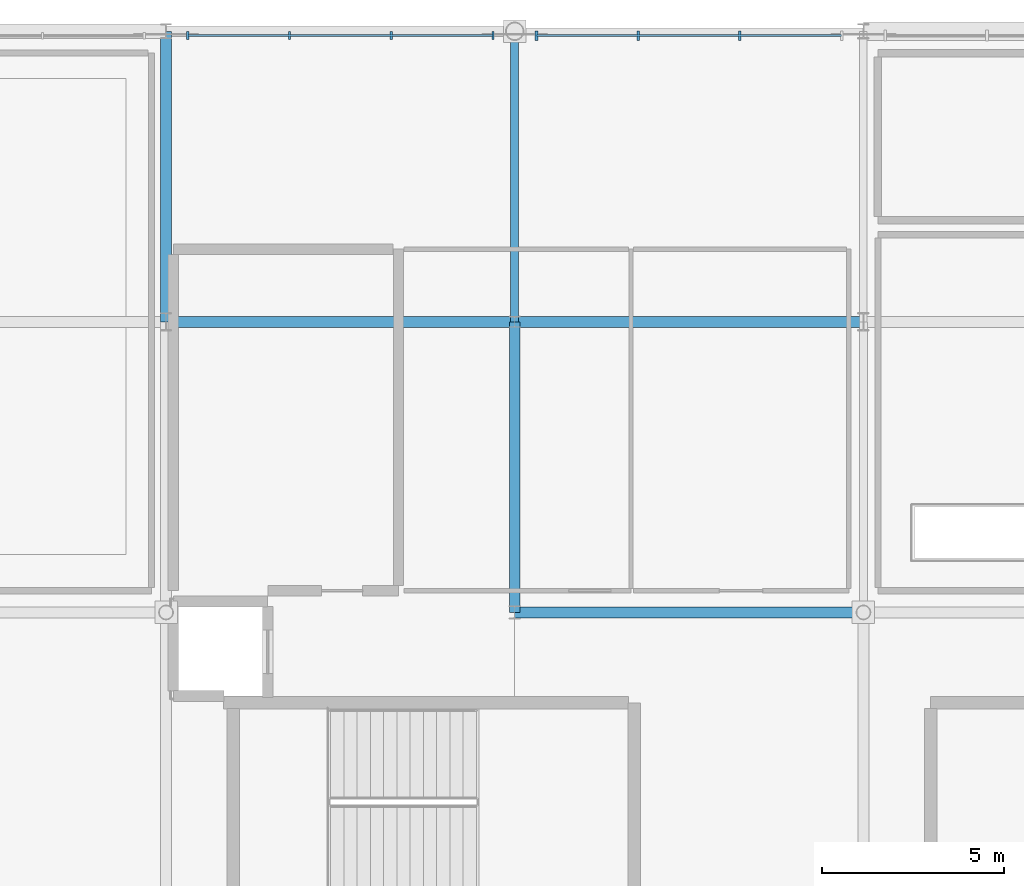
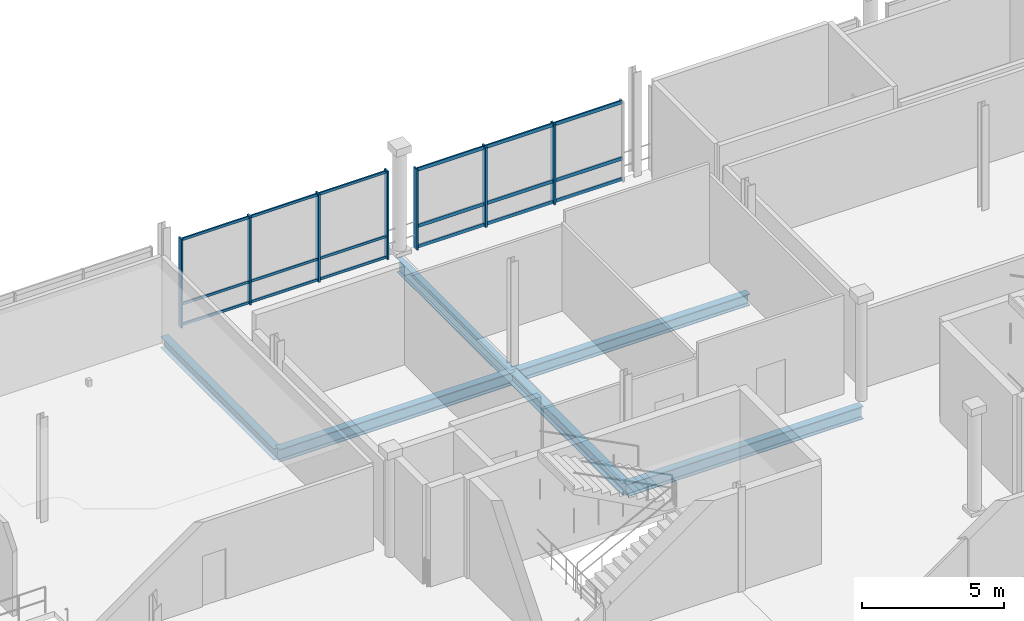
# One storey, part 9 of 26: 13 members, 6 beams, 2 elements without a shape of their own.
"""IFC4 building model written with IfcOpenShell, lengths in metres."""

from ifc_helpers import new_model, si_unit, direction, frame, origin, origin_2d, place, context, subcontext, project, spatial, rectangle, i_section, extrude, material, material_profile, profile_set, type_object, element, aggregate, save


model = new_model("IFC4")

# Units and contexts
model_context = context("Model", 3, precision=1e-05, world=origin(), true_north=direction((0.0, 1.0)))
body_context = subcontext(model_context, "Body", "Model", "MODEL_VIEW")
ifc_project = project(units=[si_unit("LENGTHUNIT", "METRE"), si_unit("AREAUNIT", "SQUARE_METRE"), si_unit("VOLUMEUNIT", "CUBIC_METRE"), si_unit("PLANEANGLEUNIT", "RADIAN"), si_unit("MASSUNIT", "GRAM", prefix="KILO")], contexts=[model_context])

# Site, building, storey
site_placement = place(None, origin())
site = spatial("IfcSite", under=ifc_project, at=site_placement, CompositionType="ELEMENT")
building_placement = place(site_placement, origin())
building = spatial("IfcBuilding", under=site, at=building_placement, Name="Danafjord Basin Convention Centre", CompositionType="ELEMENT")
storey_placement = place(building_placement, frame((0.0, 0.0, 24.89990234375)))
storey = spatial("IfcBuildingStorey", under=building, at=storey_placement, Name="L05", CompositionType="ELEMENT", Elevation=24.89990234375)

# Beams
ifc_material_1 = material(Name="Steel S355", Category="steel")
ifc_material_profile_1 = material_profile(ifc_material_1, i_section(OverallWidth=0.300048828125, OverallDepth=0.5, WebThickness=0.014404296875, FlangeThickness=0.028076171875, FilletRadius=0.027099609375, at=origin_2d()), Name="HEB 500")
ifc_profile_set_1 = profile_set([ifc_material_profile_1], Name="Steel S355")
beam_type_1 = type_object("IfcBeamType", Name="BEAM-BM-HEB500", PredefinedType="BEAM", material=ifc_profile_set_1)
beam_1_placement = place(storey_placement, frame((57.60009765625, 32.0, -0.5), z_axis=(1.0, 0.0, 0.0), x_axis=(0.0, 1.0, 0.0)))
element("IfcBeam", 1, at=beam_1_placement, inside=storey, type_object=beam_type_1, Name="L05 girder BM-HEB500", PredefinedType="BEAM", context=body_context, shape_type="SweptSolid", body=[
    extrude(i_section(OverallWidth=0.300048828125, OverallDepth=0.5, WebThickness=0.014404296875, FlangeThickness=0.028076171875, FilletRadius=0.027099609375, at=origin_2d()), origin(), (0.0, 0.0, 1.0), 9.599853515625),
])
for number, where, z_axis, x_axis, name in (
    (2, (48.0, 32.0, -0.5), (0.0, 1.0, 0.0), (-1.0, 0.0, 0.0), "L05 transverse girder BM-HEB500"),
    (3, (57.60009765625, 24.0, -0.5), (0.0, 1.0, 0.0), (-1.0, 0.0, 0.0), "L05 transverse girder BM-HEB500"),
):
    element("IfcBeam", number, at=place(storey_placement, frame(where, z_axis=z_axis, x_axis=x_axis)), inside=storey, type_object=beam_type_1, Name=name, PredefinedType="BEAM", context=body_context, shape_type="SweptSolid", body=[
        extrude(i_section(OverallWidth=0.300048828125, OverallDepth=0.5, WebThickness=0.014404296875, FlangeThickness=0.028076171875, FilletRadius=0.027099609375, at=origin_2d()), origin(), (0.0, 0.0, 1.0), 8.0),
    ])
ifc_material_profile_2 = material_profile(ifc_material_1, i_section(OverallWidth=0.300048828125, OverallDepth=0.550048828125, WebThickness=0.014892578125, FlangeThickness=0.029052734375, FilletRadius=0.027099609375, at=origin_2d()), Name="HEB 550")
ifc_profile_set_2 = profile_set([ifc_material_profile_2], Name="Steel S355")
beam_type_2 = type_object("IfcBeamType", Name="BEAM-BM-HEB550", PredefinedType="BEAM", material=ifc_profile_set_2)
beam_2_placement = place(storey_placement, frame((48.0, 32.0, -0.52490234375), z_axis=(1.0, 0.0, 0.0), x_axis=(0.0, 1.0, 0.0)))
element("IfcBeam", 4, at=beam_2_placement, inside=storey, type_object=beam_type_2, Name="L05 girder BM-HEB550", PredefinedType="BEAM", context=body_context, shape_type="SweptSolid", body=[
    extrude(i_section(OverallWidth=0.300048828125, OverallDepth=0.550048828125, WebThickness=0.014892578125, FlangeThickness=0.029052734375, FilletRadius=0.027099609375, at=origin_2d()), origin(), (0.0, 0.0, 1.0), 9.60009765625),
])
beam_3_placement = place(storey_placement, frame((57.60009765625, 24.0, -0.52490234375), z_axis=(1.0, 0.0, 0.0), x_axis=(0.0, 1.0, 0.0)))
element("IfcBeam", 5, at=beam_3_placement, inside=storey, type_object=beam_type_2, Name="L05 girder BM-HEB550", PredefinedType="BEAM", context=body_context, shape_type="SweptSolid", body=[
    extrude(i_section(OverallWidth=0.300048828125, OverallDepth=0.550048828125, WebThickness=0.014892578125, FlangeThickness=0.029052734375, FilletRadius=0.027099609375, at=origin_2d()), origin(), (0.0, 0.0, 1.0), 9.599853515625),
])
ifc_material_profile_3 = material_profile(ifc_material_1, i_section(OverallWidth=0.219970703125, OverallDepth=0.60009765625, WebThickness=0.011962890625, FlangeThickness=0.01904296875, FilletRadius=0.02392578125, at=origin_2d()), Name="IPE 600")
ifc_profile_set_3 = profile_set([ifc_material_profile_3], Name="Steel S355")
beam_type_3 = type_object("IfcBeamType", Name="BEAM-BM-IPE600", PredefinedType="BEAM", material=ifc_profile_set_3)
beam_4_placement = place(storey_placement, frame((57.60009765625, 32.0, -0.5498046875), z_axis=(0.0, 1.0, 0.0), x_axis=(-1.0, 0.0, 0.0)))
element("IfcBeam", 6, at=beam_4_placement, inside=storey, type_object=beam_type_3, Name="L05 transverse girder BM-IPE600", PredefinedType="BEAM", context=body_context, shape_type="SweptSolid", body=[
    extrude(i_section(OverallWidth=0.219970703125, OverallDepth=0.60009765625, WebThickness=0.011962890625, FlangeThickness=0.01904296875, FilletRadius=0.02392578125, at=origin_2d()), origin(), (0.0, 0.0, 1.0), 8.0),
])

# Curtain wall, members
ifc_material_2 = material(Name="Anodised aluminium and triple glazing", Category="aluminium")
curtain_wall_type = type_object("IfcCurtainWallType", Name="CW-CW-TERR", PredefinedType="NOTDEFINED", material=ifc_material_2)
curtain_wall_1_placement = place(storey_placement, origin())
curtain_wall_1 = element("IfcCurtainWall", 7, at=curtain_wall_1_placement, inside=storey, type_object=curtain_wall_type, Name="L05 CW-TERR unitised curtain wall bay 102", PredefinedType="NOTDEFINED")
ifc_material_3 = material(Name="Anodised aluminium EN AW-6060", Category="aluminium")
ifc_material_profile_4 = material_profile(ifc_material_3, rectangle(XDim=0.06494140625, YDim=0.219970703125, at=origin_2d()), Name="MULL 65x220")
ifc_profile_set_4 = profile_set([ifc_material_profile_4], Name="Anodised aluminium EN AW-6060")
member_type_1 = type_object("IfcMemberType", Name="MEM-ML-220", PredefinedType="MULLION", material=ifc_profile_set_4)
member_1_placement = place(storey_placement, frame((57.0, 39.8798828125, -0.02490234375), z_axis=(0.0, 0.0, 1.0), x_axis=(-1.0, 0.0, 0.0)))
member_1 = element("IfcMember", 8, at=member_1_placement, type_object=member_type_1, Name="CW-L05-102 mullion 1", PredefinedType="MULLION", context=body_context, shape_type="SweptSolid", body=[
    extrude(rectangle(XDim=0.06494140625, YDim=0.219970703125, at=origin_2d()), origin(), (0.0, 0.0, 1.0), 3.824951171875),
])
member_2_placement = place(storey_placement, frame((54.199951171875, 39.8798828125, -0.02490234375), z_axis=(0.0, 0.0, 1.0), x_axis=(-1.0, 0.0, 0.0)))
member_2 = element("IfcMember", 9, at=member_2_placement, type_object=member_type_1, Name="CW-L05-102 mullion 2", PredefinedType="MULLION", context=body_context, shape_type="SweptSolid", body=[
    extrude(rectangle(XDim=0.06494140625, YDim=0.219970703125, at=origin_2d()), origin(), (0.0, 0.0, 1.0), 3.824951171875),
])
member_3_placement = place(storey_placement, frame((51.39990234375, 39.8798828125, -0.02490234375), z_axis=(0.0, 0.0, 1.0), x_axis=(-1.0, 0.0, 0.0)))
member_3 = element("IfcMember", 10, at=member_3_placement, type_object=member_type_1, Name="CW-L05-102 mullion 3", PredefinedType="MULLION", context=body_context, shape_type="SweptSolid", body=[
    extrude(rectangle(XDim=0.06494140625, YDim=0.219970703125, at=origin_2d()), origin(), (0.0, 0.0, 1.0), 3.824951171875),
])
member_4_placement = place(storey_placement, frame((48.60009765625, 39.8798828125, -0.02490234375), z_axis=(0.0, 0.0, 1.0), x_axis=(-1.0, 0.0, 0.0)))
member_4 = element("IfcMember", 11, at=member_4_placement, type_object=member_type_1, Name="CW-L05-102 mullion 4", PredefinedType="MULLION", context=body_context, shape_type="SweptSolid", body=[
    extrude(rectangle(XDim=0.06494140625, YDim=0.219970703125, at=origin_2d()), origin(), (0.0, 0.0, 1.0), 3.824951171875),
])

curtain_wall_2_placement = place(storey_placement, origin())
curtain_wall_2 = element("IfcCurtainWall", 12, at=curtain_wall_2_placement, inside=storey, type_object=curtain_wall_type, Name="L05 CW-TERR unitised curtain wall bay 103", PredefinedType="NOTDEFINED")
ifc_material_profile_5 = material_profile(ifc_material_3, rectangle(XDim=0.070068359375, YDim=0.260009765625, at=origin_2d()), Name="MULL 70x260")
ifc_profile_set_5 = profile_set([ifc_material_profile_5], Name="Anodised aluminium EN AW-6060")
member_type_2 = type_object("IfcMemberType", Name="MEM-ML-260", PredefinedType="MULLION", material=ifc_profile_set_5)
member_5_placement = place(storey_placement, frame((63.800048828125, 39.8798828125, -0.02490234375), z_axis=(0.0, 0.0, 1.0), x_axis=(-1.0, 0.0, 0.0)))
member_5 = element("IfcMember", 13, at=member_5_placement, type_object=member_type_2, Name="CW-L05-103 mullion 2", PredefinedType="MULLION", context=body_context, shape_type="SweptSolid", body=[
    extrude(rectangle(XDim=0.070068359375, YDim=0.260009765625, at=origin_2d()), origin(), (0.0, 0.0, 1.0), 3.47509765625),
])
member_6_placement = place(storey_placement, frame((61.0, 39.8798828125, -0.02490234375), z_axis=(0.0, 0.0, 1.0), x_axis=(-1.0, 0.0, 0.0)))
member_6 = element("IfcMember", 14, at=member_6_placement, type_object=member_type_2, Name="CW-L05-103 mullion 3", PredefinedType="MULLION", context=body_context, shape_type="SweptSolid", body=[
    extrude(rectangle(XDim=0.070068359375, YDim=0.260009765625, at=origin_2d()), origin(), (0.0, 0.0, 1.0), 3.47509765625),
])
member_7_placement = place(storey_placement, frame((58.199951171875, 39.8798828125, -0.02490234375), z_axis=(0.0, 0.0, 1.0), x_axis=(-1.0, 0.0, 0.0)))
member_7 = element("IfcMember", 15, at=member_7_placement, type_object=member_type_2, Name="CW-L05-103 mullion 4", PredefinedType="MULLION", context=body_context, shape_type="SweptSolid", body=[
    extrude(rectangle(XDim=0.070068359375, YDim=0.260009765625, at=origin_2d()), origin(), (0.0, 0.0, 1.0), 3.47509765625),
])

# Member
ifc_material_profile_6 = material_profile(ifc_material_3, rectangle(XDim=0.06005859375, YDim=0.110107421875, at=origin_2d()), Name="TRAN 60x110")
ifc_profile_set_6 = profile_set([ifc_material_profile_6], Name="Anodised aluminium EN AW-6060")
member_type_3 = type_object("IfcMemberType", Name="MEM-TR-110", PredefinedType="USERDEFINED", material=ifc_profile_set_6)
member_8_placement = place(storey_placement, frame((57.0, 39.8798828125, 0.06005859375), z_axis=(-1.0, 0.0, 0.0), x_axis=(0.0, -1.0, 0.0)))
member_8 = element("IfcMember", 16, at=member_8_placement, type_object=member_type_3, Name="CW-L05-102 transom 1", ObjectType="TRANSOM", PredefinedType="USERDEFINED", context=body_context, shape_type="SweptSolid", body=[
    extrude(rectangle(XDim=0.06005859375, YDim=0.110107421875, at=origin_2d()), origin(), (0.0, 0.0, 1.0), 8.39990234375),
])

member_9_placement = place(storey_placement, frame((57.0, 39.8798828125, 0.9501953125), z_axis=(-1.0, 0.0, 0.0), x_axis=(0.0, -1.0, 0.0)))
member_9 = element("IfcMember", 17, at=member_9_placement, type_object=member_type_3, Name="CW-L05-102 transom 2", ObjectType="TRANSOM", PredefinedType="USERDEFINED", context=body_context, shape_type="SweptSolid", body=[
    extrude(rectangle(XDim=0.06005859375, YDim=0.110107421875, at=origin_2d()), origin(), (0.0, 0.0, 1.0), 8.39990234375),
])

member_10_placement = place(storey_placement, frame((57.0, 39.8798828125, 3.72998046875), z_axis=(-1.0, 0.0, 0.0), x_axis=(0.0, -1.0, 0.0)))
member_10 = element("IfcMember", 18, at=member_10_placement, type_object=member_type_3, Name="CW-L05-102 transom 3", ObjectType="TRANSOM", PredefinedType="USERDEFINED", context=body_context, shape_type="SweptSolid", body=[
    extrude(rectangle(XDim=0.06005859375, YDim=0.110107421875, at=origin_2d()), origin(), (0.0, 0.0, 1.0), 8.39990234375),
])

aggregate(curtain_wall_1, [member_1, member_2, member_3, member_4, member_8, member_9, member_10])

ifc_material_profile_7 = material_profile(ifc_material_3, rectangle(XDim=0.06005859375, YDim=0.14990234375, at=origin_2d()), Name="TRAN 60x150")
ifc_profile_set_7 = profile_set([ifc_material_profile_7], Name="Anodised aluminium EN AW-6060")
member_type_4 = type_object("IfcMemberType", Name="MEM-TR-150", PredefinedType="USERDEFINED", material=ifc_profile_set_7)
member_11_placement = place(storey_placement, frame((66.60009765625, 39.8798828125, 0.06005859375), z_axis=(-1.0, 0.0, 0.0), x_axis=(0.0, -1.0, 0.0)))
member_11 = element("IfcMember", 19, at=member_11_placement, type_object=member_type_4, Name="CW-L05-103 transom 1", ObjectType="TRANSOM", PredefinedType="USERDEFINED", context=body_context, shape_type="SweptSolid", body=[
    extrude(rectangle(XDim=0.06005859375, YDim=0.14990234375, at=origin_2d()), origin(), (0.0, 0.0, 1.0), 8.400146484375),
])

member_12_placement = place(storey_placement, frame((66.60009765625, 39.8798828125, 0.9501953125), z_axis=(-1.0, 0.0, 0.0), x_axis=(0.0, -1.0, 0.0)))
member_12 = element("IfcMember", 20, at=member_12_placement, type_object=member_type_4, Name="CW-L05-103 transom 2", ObjectType="TRANSOM", PredefinedType="USERDEFINED", context=body_context, shape_type="SweptSolid", body=[
    extrude(rectangle(XDim=0.06005859375, YDim=0.14990234375, at=origin_2d()), origin(), (0.0, 0.0, 1.0), 8.400146484375),
])

member_13_placement = place(storey_placement, frame((66.60009765625, 39.8798828125, 3.380126953125), z_axis=(-1.0, 0.0, 0.0), x_axis=(0.0, -1.0, 0.0)))
member_13 = element("IfcMember", 21, at=member_13_placement, type_object=member_type_4, Name="CW-L05-103 transom 3", ObjectType="TRANSOM", PredefinedType="USERDEFINED", context=body_context, shape_type="SweptSolid", body=[
    extrude(rectangle(XDim=0.06005859375, YDim=0.14990234375, at=origin_2d()), origin(), (0.0, 0.0, 1.0), 8.400146484375),
])

aggregate(curtain_wall_2, [member_5, member_6, member_7, member_11, member_12, member_13])

save(model, "model.ifc")
